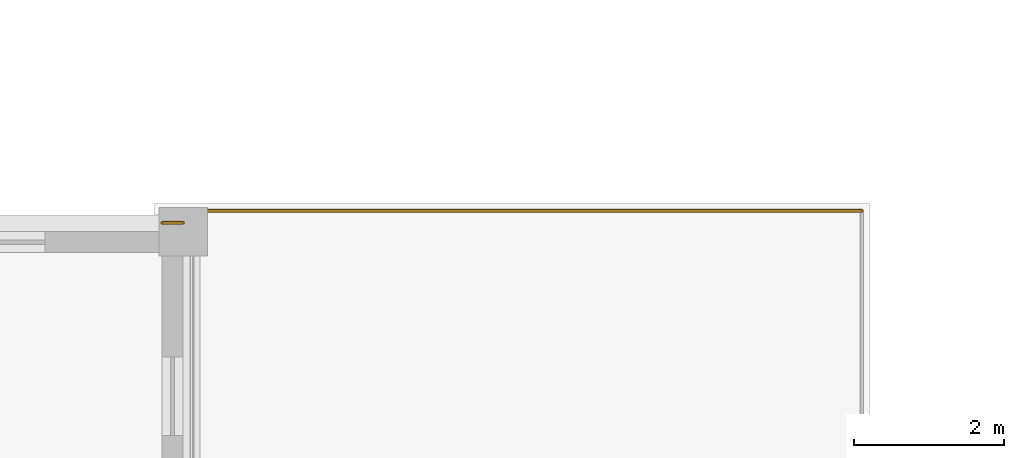
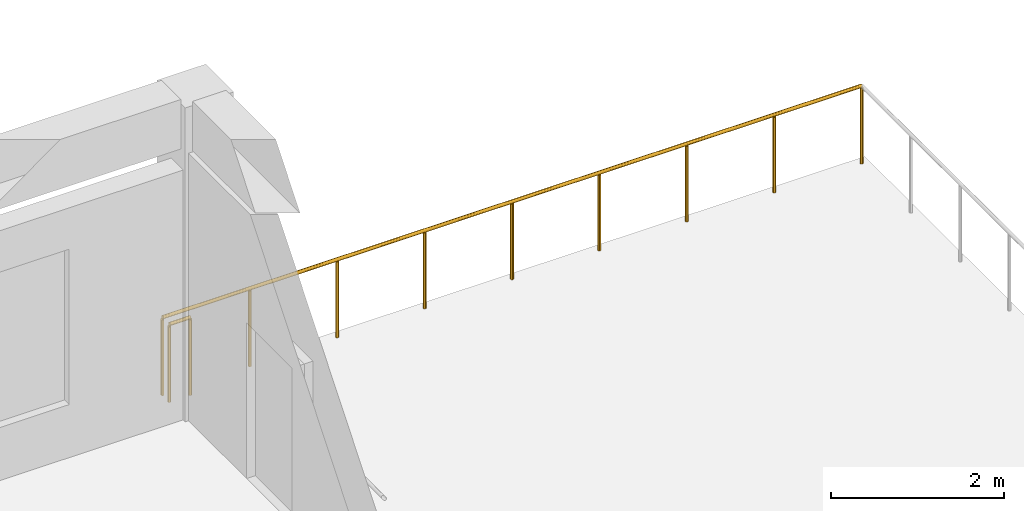
# One storey, part 47 of 50: 2 railings.
"""IFC4 building model written with IfcOpenShell, lengths in metres."""

from ifc_helpers import new_model, si_unit, direction, frame, origin, origin_2d, place, context, subcontext, project, spatial, circle, extrude, material, layer, layer_set, type_object, element, save


model = new_model("IFC4")

# Units and contexts
model_context = context("Model", 3, precision=1e-05, world=origin(), true_north=direction((0.0, 1.0)))
body_context = subcontext(model_context, "Body", "Model", "MODEL_VIEW")
ifc_project = project(units=[si_unit("LENGTHUNIT", "METRE"), si_unit("AREAUNIT", "SQUARE_METRE"), si_unit("VOLUMEUNIT", "CUBIC_METRE"), si_unit("PLANEANGLEUNIT", "RADIAN"), si_unit("MASSUNIT", "GRAM", prefix="KILO")], contexts=[model_context])

# Site, building, storey
site_placement = place(None, origin())
site = spatial("IfcSite", under=ifc_project, at=site_placement, CompositionType="ELEMENT")
building_placement = place(site_placement, origin())
building = spatial("IfcBuilding", under=site, at=building_placement, Name="Kolvaren Faculty of Natural Sciences", CompositionType="ELEMENT")
storey_placement = place(building_placement, frame((0.0, 0.0, 15.0)))
storey = spatial("IfcBuildingStorey", under=building, at=storey_placement, Name="L03", CompositionType="ELEMENT", Elevation=15.0)

# Railings
ifc_material = material(Name="Structural steel EN 10210-1 S355J2H", Category="steel")
ifc_layer = layer(ifc_material, 0.048095703125)
ifc_layer_set = layer_set([ifc_layer], Name="Structural steel EN 10210-1 S355J2H")
railing_type = type_object("IfcRailingType", Name="GuardRailing_GRD110", PredefinedType="BALUSTRADE", material=ifc_layer_set)
railing_1_placement = place(storey_placement, frame((105.800048828125, 84.320068359375, 0.0)))
element("IfcRailing", 1, at=railing_1_placement, inside=storey, type_object=railing_type, Name="L03 Atrium East Roof Terrace perimeter balustrade 6", PredefinedType="BALUSTRADE", context=body_context, shape_type="SweptSolid", body=[
    extrude(circle(Radius=0.02392578125, at=origin_2d()), frame((0.0, 0.0, 1.09619140625), z_axis=(-1.0, 0.0, 0.0), x_axis=(0.0, -1.0, 0.0)), (0.0, 0.0, 1.0), 0.280029296875),
    extrude(circle(Radius=0.02099609375, at=origin_2d()), origin(), (0.0, 0.0, 1.0), 1.072021484375),
    extrude(circle(Radius=0.02099609375, at=origin_2d()), frame((-0.280029296875, 0.0, 0.0)), (0.0, 0.0, 1.0), 1.072021484375),
])
railing_2_placement = place(storey_placement, frame((105.52001953125, 84.47998046875, 0.0)))
element("IfcRailing", 2, at=railing_2_placement, inside=storey, type_object=railing_type, Name="L03 Atrium East Roof Terrace perimeter balustrade 7", PredefinedType="BALUSTRADE", context=body_context, shape_type="SweptSolid", body=[
    extrude(circle(Radius=0.02392578125, at=origin_2d()), frame((0.0, 0.0, 1.09619140625), z_axis=(1.0, 0.0, 0.0), x_axis=(0.0, 1.0, 0.0)), (0.0, 0.0, 1.0), 9.35986328125),
    extrude(circle(Radius=0.02099609375, at=origin_2d()), origin(), (0.0, 0.0, 1.0), 1.072021484375),
    extrude(circle(Radius=0.02099609375, at=origin_2d()), frame((1.169921875, 0.0, 0.0)), (0.0, 0.0, 1.0), 1.072021484375),
    extrude(circle(Radius=0.02099609375, at=origin_2d()), frame((2.33984375, 0.0, 0.0)), (0.0, 0.0, 1.0), 1.072021484375),
    extrude(circle(Radius=0.02099609375, at=origin_2d()), frame((3.510009765625, 0.0, 0.0)), (0.0, 0.0, 1.0), 1.072021484375),
    extrude(circle(Radius=0.02099609375, at=origin_2d()), frame((4.679931640625, 0.0, 0.0)), (0.0, 0.0, 1.0), 1.072021484375),
    extrude(circle(Radius=0.02099609375, at=origin_2d()), frame((5.849853515625, 0.0, 0.0)), (0.0, 0.0, 1.0), 1.072021484375),
    extrude(circle(Radius=0.02099609375, at=origin_2d()), frame((7.02001953125, 0.0, 0.0)), (0.0, 0.0, 1.0), 1.072021484375),
    extrude(circle(Radius=0.02099609375, at=origin_2d()), frame((8.18994140625, 0.0, 0.0)), (0.0, 0.0, 1.0), 1.072021484375),
    extrude(circle(Radius=0.02099609375, at=origin_2d()), frame((9.35986328125, 0.0, 0.0)), (0.0, 0.0, 1.0), 1.072021484375),
])

save(model, "model.ifc")
